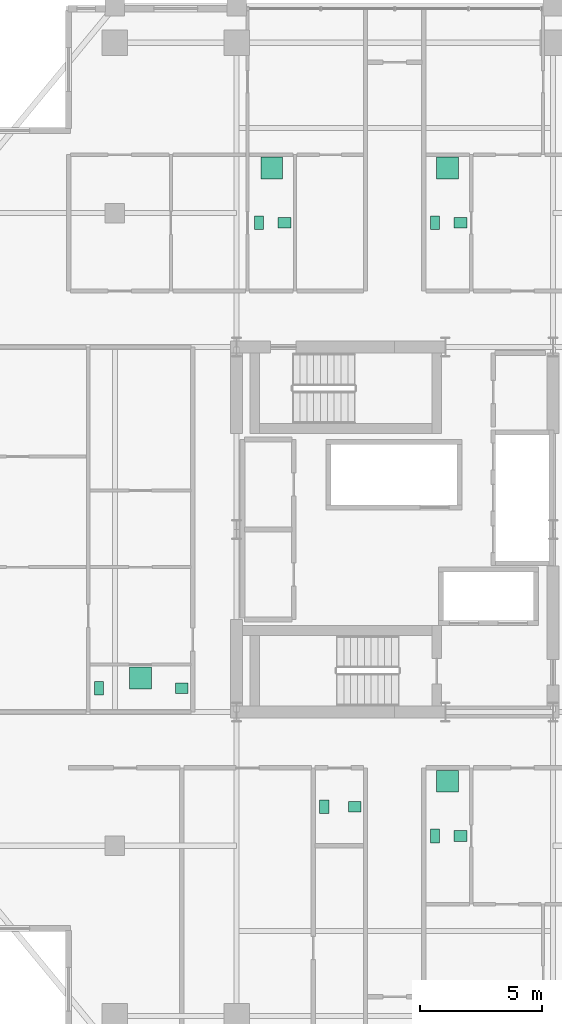
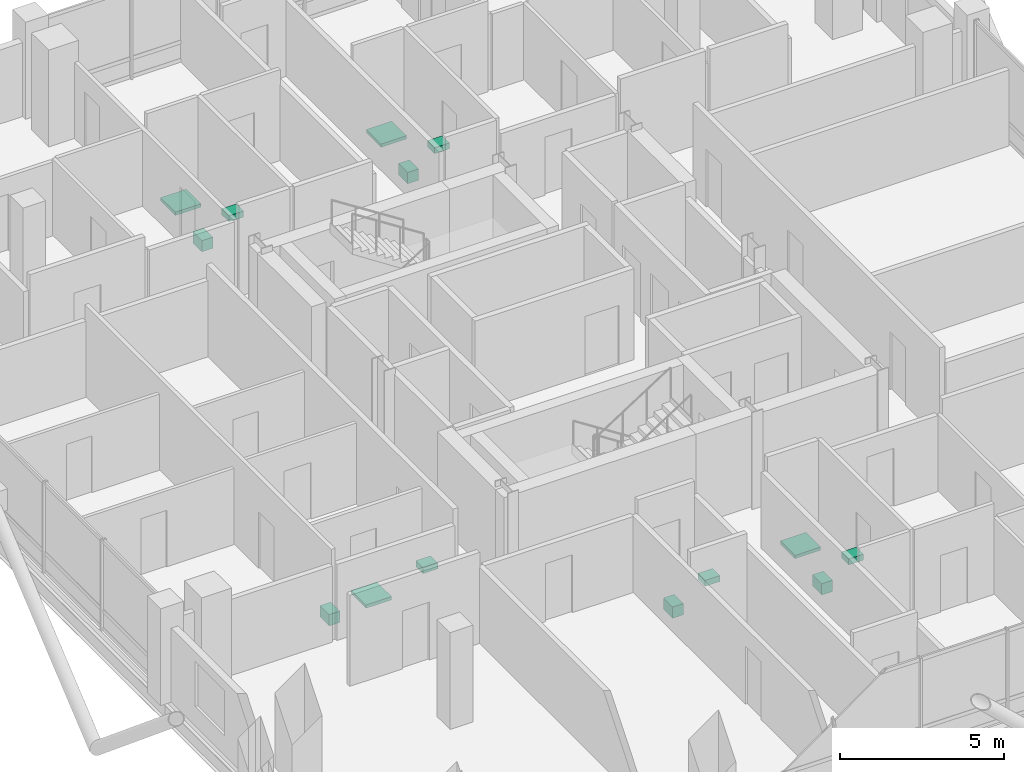
# One storey, part 24 of 24: 14 sanitary terminals.
"""IFC4 building model written with IfcOpenShell, lengths in metres."""

from ifc_helpers import new_model, si_unit, direction, frame, origin, origin_2d, place, context, subcontext, project, spatial, rectangle, extrude, material, type_object, element, save


model = new_model("IFC4")

# Units and contexts
model_context = context("Model", 3, precision=1e-05, world=origin(), true_north=direction((0.0, 1.0)))
body_context = subcontext(model_context, "Body", "Model", "MODEL_VIEW")
ifc_project = project(units=[si_unit("LENGTHUNIT", "METRE"), si_unit("AREAUNIT", "SQUARE_METRE"), si_unit("VOLUMEUNIT", "CUBIC_METRE"), si_unit("PLANEANGLEUNIT", "RADIAN"), si_unit("MASSUNIT", "GRAM", prefix="KILO")], contexts=[model_context])

# Site, building, storey
site_placement = place(None, origin())
site = spatial("IfcSite", under=ifc_project, at=site_placement, CompositionType="ELEMENT")
building_placement = place(site_placement, origin())
building = spatial("IfcBuilding", under=site, at=building_placement, Name="Barlavira Tower and Art Museum", CompositionType="ELEMENT")
storey_placement = place(building_placement, frame((0.0, 0.0, 183.60009765625)))
storey = spatial("IfcBuildingStorey", under=building, at=storey_placement, Name="L47", CompositionType="ELEMENT", Elevation=183.60009765625)

# Sanitary terminals
ifc_material = material(Name="Vitreous glazed ceramic", Category="ceramic")
sanitary_terminal_type_1 = type_object("IfcSanitaryTerminalType", Name="Countertop Ceramic Wash Hand Basin", PredefinedType="WASHHANDBASIN", material=ifc_material)
for number, where, z_axis, x_axis, name in (
    (1, (-1.64990234375, -11.39990234375, 0.73974609375), (0.0, 0.0, 1.0), (1.0, 0.0, 0.0), "L47-SW-SWC Wash Basin"),
    (2, (2.699951171875, -12.60009765625, 0.73974609375), (0.0, 0.0, 1.0), (1.0, 0.0, 0.0), "L47-SE1-BTH1 Wash Basin"),
    (3, (-4.530029296875, 12.60009765625, 0.73974609375), (0.0, 0.0, 1.0), (1.0, 0.0, 0.0), "L47-NW1-BTH1 Wash Basin"),
    (4, (2.699951171875, 12.60009765625, 0.73974609375), (0.0, 0.0, 1.0), (1.0, 0.0, 0.0), "L47-NE1-BTH1 Wash Basin"),
    (5, (-8.75, -6.52490234375, 0.73974609375), (0.0, 0.0, 1.0), (1.0, 0.0, 0.0), "L47-W1-BTH1 Wash Basin"),
):
    element("IfcSanitaryTerminal", number, at=place(storey_placement, frame(where, z_axis=z_axis, x_axis=x_axis)), inside=storey, type_object=sanitary_terminal_type_1, Name=name, PredefinedType="WASHHANDBASIN", context=body_context, shape_type="SweptSolid", body=[
        extrude(rectangle(XDim=0.52001953125, YDim=0.43994140625, at=origin_2d()), origin(), (0.0, 0.0, 1.0), 0.219970703125),
    ])
sanitary_terminal_type_2 = type_object("IfcSanitaryTerminalType", Name="Walk-In Thermostatic Rain Shower Unit", PredefinedType="SHOWER", material=ifc_material)
for number, where, z_axis, x_axis, name in (
    (6, (2.175048828125, -10.35009765625, -0.000244140625), (0.0, 0.0, 1.0), (1.0, 0.0, 0.0), "L47-SE1-BTH1 Rain Shower"),
    (7, (-5.054931640625, 14.85009765625, -0.000244140625), (0.0, 0.0, 1.0), (1.0, 0.0, 0.0), "L47-NW1-BTH1 Rain Shower"),
    (8, (2.175048828125, 14.85009765625, -0.000244140625), (0.0, 0.0, 1.0), (1.0, 0.0, 0.0), "L47-NE1-BTH1 Rain Shower"),
    (9, (-10.449951171875, -6.10009765625, -0.000244140625), (0.0, 0.0, 1.0), (1.0, 0.0, 0.0), "L47-W1-BTH1 Rain Shower"),
):
    element("IfcSanitaryTerminal", number, at=place(storey_placement, frame(where, z_axis=z_axis, x_axis=x_axis)), inside=storey, type_object=sanitary_terminal_type_2, Name=name, PredefinedType="SHOWER", context=body_context, shape_type="SweptSolid", body=[
        extrude(rectangle(XDim=0.89990234375, YDim=0.89990234375, at=origin_2d()), origin(), (0.0, 0.0, 1.0), 0.1201171875),
    ])
sanitary_terminal_type_3 = type_object("IfcSanitaryTerminalType", Name="Wall-Hung Dual-Flush Vitreous WC Pan", PredefinedType="TOILETPAN", material=ifc_material)
for number, where, z_axis, x_axis, name in (
    (10, (-2.89990234375, -11.39990234375, 0.0), (0.0, 0.0, 1.0), (1.0, 0.0, 0.0), "L47-SW-SWC WC Pan"),
    (11, (1.64990234375, -12.60009765625, 0.0), (0.0, 0.0, 1.0), (1.0, 0.0, 0.0), "L47-SE1-BTH1 WC Pan"),
    (12, (-5.580078125, 12.60009765625, 0.0), (0.0, 0.0, 1.0), (1.0, 0.0, 0.0), "L47-NW1-BTH1 WC Pan"),
    (13, (1.64990234375, 12.60009765625, 0.0), (0.0, 0.0, 1.0), (1.0, 0.0, 0.0), "L47-NE1-BTH1 WC Pan"),
    (14, (-12.14990234375, -6.52490234375, 0.0), (0.0, 0.0, 1.0), (1.0, 0.0, 0.0), "L47-W1-BTH1 WC Pan"),
):
    element("IfcSanitaryTerminal", number, at=place(storey_placement, frame(where, z_axis=z_axis, x_axis=x_axis)), inside=storey, type_object=sanitary_terminal_type_3, Name=name, PredefinedType="TOILETPAN", context=body_context, shape_type="SweptSolid", body=[
        extrude(rectangle(XDim=0.3798828125, YDim=0.56005859375, at=origin_2d()), origin(), (0.0, 0.0, 1.0), 0.419921875),
    ])

save(model, "model.ifc")
